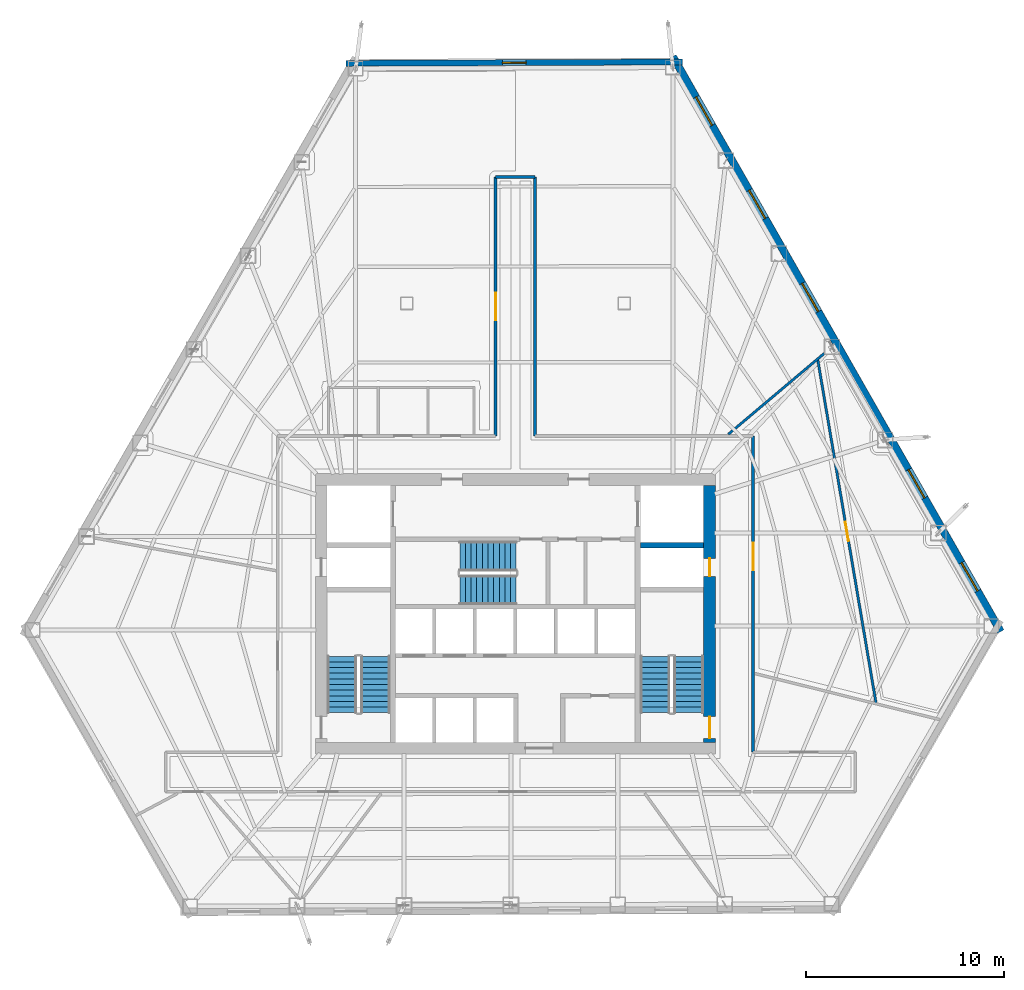
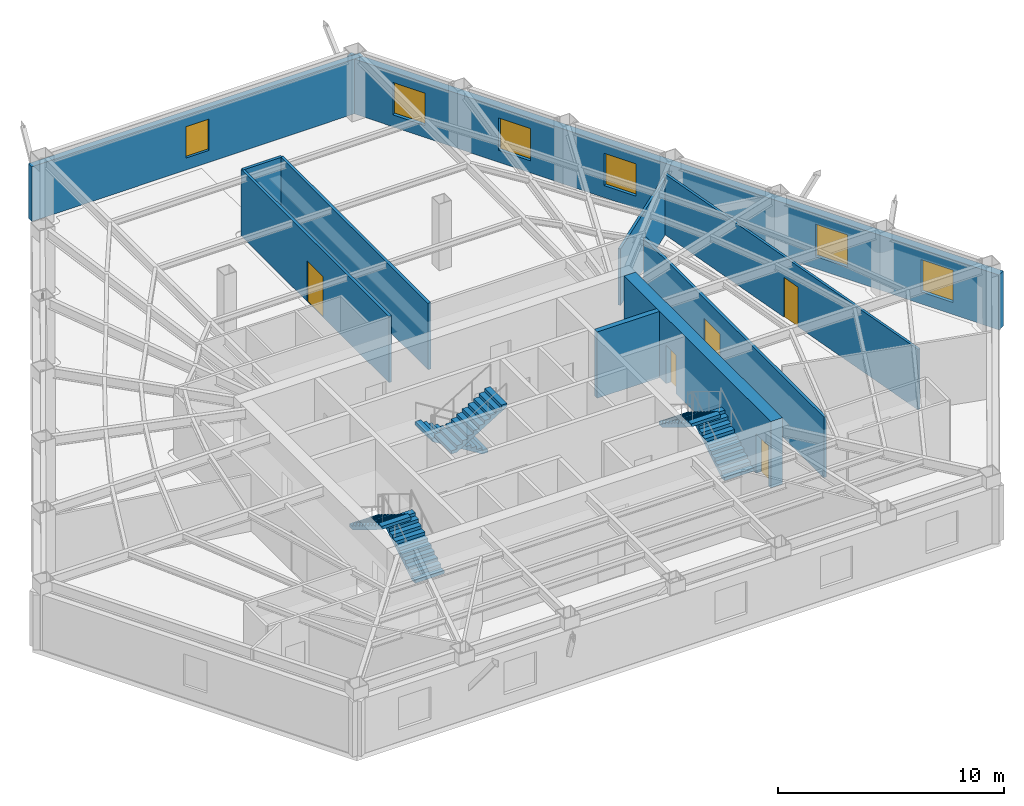
# One storey, part 9 of 12: 10 walls, 6 stair flights, 6 windows, 5 doors, 11 openings, 3 elements without a shape of their own.
"""IFC4 building model written with IfcOpenShell, lengths in metres."""

from ifc_helpers import new_model, si_unit, direction, frame, frame_2d, origin, place, context, subcontext, project, spatial, polyline, rectangle, outline, extrude, material, layer, layer_set, type_object, element, fill, aggregate, save


model = new_model("IFC4")

# Units and contexts
model_context = context("Model", 3, precision=1e-05, world=origin(), true_north=direction((0.0, 1.0)))
body_context = subcontext(model_context, "Body", "Model", "MODEL_VIEW")
ifc_project = project(units=[si_unit("LENGTHUNIT", "METRE"), si_unit("AREAUNIT", "SQUARE_METRE"), si_unit("VOLUMEUNIT", "CUBIC_METRE"), si_unit("PLANEANGLEUNIT", "RADIAN"), si_unit("MASSUNIT", "GRAM", prefix="KILO")], contexts=[model_context])

# Site, building, storey
site_placement = place(None, origin())
site = spatial("IfcSite", under=ifc_project, at=site_placement, CompositionType="ELEMENT")
building_placement = place(site_placement, origin())
building = spatial("IfcBuilding", under=site, at=building_placement, Name="Kavelnor Concourse Tower", CompositionType="ELEMENT")
storey_placement = place(building_placement, frame((0.0, 0.0, 13.699951171875)))
storey = spatial("IfcBuildingStorey", under=building, at=storey_placement, Name="L03", CompositionType="ELEMENT", Elevation=13.699951171875)

# Wall, openings, doors
ifc_material_1 = material(Name="Concrete C60/75", Category="concrete")
ifc_layer_1 = layer(ifc_material_1, 0.60009765625, Name="Concrete C60/75")
ifc_layer_set_1 = layer_set([ifc_layer_1], Name="Concrete C60/75")
wall_type_1 = type_object("IfcWallType", Name="WL-CORE-Z1-600", PredefinedType="SOLIDWALL", material=ifc_layer_set_1)
wall_1_placement = place(storey_placement, frame((47.820068359375, 9.60009765625, 0.0), z_axis=(0.0, 0.0, 1.0), x_axis=(0.0, 1.0, 0.0)))
wall_1 = element("IfcWall", 1, at=wall_1_placement, inside=storey, type_object=wall_type_1, Name="L03 Central Core East Shear Wall", PredefinedType="SOLIDWALL", context=body_context, shape_type="SweptSolid", body=[
    extrude(rectangle(XDim=13.0, YDim=0.60009765625, at=frame_2d((6.5, 0.0))), origin(), (0.0, 0.0, 1.0), 3.590087890625),
])
opening_1_placement = place(wall_1_placement, frame((0.199951171875, 0.0, 0.0)))
opening_1 = element("IfcOpeningElement", 2, at=opening_1_placement, cuts=wall_1, Name="Opening FD-110", PredefinedType="OPENING", context=body_context, shape_type="SweptSolid", body=[
    extrude(rectangle(XDim=1.10009765625, YDim=2.14990234375, at=frame_2d((0.550048828125, 1.074951171875))), frame((0.0, 0.31005859375, 0.0), z_axis=(0.0, -1.0, 0.0), x_axis=(1.0, 0.0, 0.0)), (0.0, 0.0, 1.0), 0.6201171875),
])
opening_2_placement = place(wall_1_placement, frame((8.39990234375, 0.0, 0.0)))
opening_2 = element("IfcOpeningElement", 3, at=opening_2_placement, cuts=wall_1, Name="Opening FD-090", PredefinedType="OPENING", context=body_context, shape_type="SweptSolid", body=[
    extrude(rectangle(XDim=0.89990234375, YDim=2.10009765625, at=frame_2d((0.449951171875, 1.050048828125))), frame((0.0, 0.31005859375, 0.0), z_axis=(0.0, -1.0, 0.0), x_axis=(1.0, 0.0, 0.0)), (0.0, 0.0, 1.0), 0.6201171875),
])
ifc_material_2 = material(Name="Steel Grade 350", Category="steel")
door_type_1 = type_object("IfcDoorType", Name="DR-RISER-FIRE-900", OperationType="NOTDEFINED", PredefinedType="DOOR", material=ifc_material_2)
door_1_placement = place(opening_2_placement, origin())
door_1 = element("IfcDoor", 4, at=door_1_placement, inside=storey, type_object=door_type_1, Name="L03 East Riser Access Door", OperationType="SINGLE_SWING_LEFT", OverallHeight=2.10009765625, OverallWidth=0.89990234375, PredefinedType="DOOR", context=body_context, shape_type="SweptSolid", body=[
    extrude(rectangle(XDim=0.89990234375, YDim=2.10009765625, at=frame_2d((0.449951171875, 1.050048828125))), frame((0.0, 0.02490234375, 0.0), z_axis=(0.0, -1.0, 0.0), x_axis=(1.0, 0.0, 0.0)), (0.0, 0.0, 1.0), 0.050048828125),
])
fill(opening_2, door_1)
door_type_2 = type_object("IfcDoorType", Name="DR-STAIR-FIRE-1100", OperationType="NOTDEFINED", PredefinedType="DOOR", material=ifc_material_2)
door_2_placement = place(opening_1_placement, origin())
door_2 = element("IfcDoor", 5, at=door_2_placement, inside=storey, type_object=door_type_2, Name="L03 Stair ST2 Fire Door", OperationType="SINGLE_SWING_RIGHT", OverallHeight=2.14990234375, OverallWidth=1.10009765625, PredefinedType="DOOR", context=body_context, shape_type="SweptSolid", body=[
    extrude(rectangle(XDim=1.10009765625, YDim=2.14990234375, at=frame_2d((0.550048828125, 1.074951171875))), frame((0.0, 0.02490234375, 0.0), z_axis=(0.0, -1.0, 0.0), x_axis=(1.0, 0.0, 0.0)), (0.0, 0.0, 1.0), 0.050048828125),
])
fill(opening_1, door_2)

# Wall, opening, window
ifc_material_3 = material(Name="Buff ironspot clay face brick masonry", Category="masonry")
ifc_layer_2 = layer(ifc_material_3, 0.300048828125, Name="Buff ironspot clay face brick masonry")
ifc_layer_set_2 = layer_set([ifc_layer_2], Name="Buff ironspot clay face brick masonry")
wall_type_2 = type_object("IfcWallType", Name="WL-EXT-BUFF-BRICK-FOLD-300", PredefinedType="STANDARD", material=ifc_layer_set_2)
wall_2_placement = place(storey_placement, frame((29.443603515625, 43.9453125, 0.0), z_axis=(0.0, 0.0, 1.0), x_axis=(0.999992088083, 0.003977910337, 0.0)))
wall_2 = element("IfcWall", 6, at=wall_2_placement, inside=storey, type_object=wall_type_2, Name="L03 Exterior Brick Facade Wall E0", PredefinedType="STANDARD", context=body_context, shape_type="SweptSolid", body=[
    extrude(rectangle(XDim=17.000732421875, YDim=0.300048828125, at=frame_2d((8.50048828125, 0.0))), origin(), (0.0, 0.0, 1.0), 2.969970703125),
])
opening_3_placement = place(wall_2_placement, frame((7.900390625, 0.0, 0.64990234375)))
opening_3 = element("IfcOpeningElement", 7, at=opening_3_placement, cuts=wall_2, Name="Opening W-05", PredefinedType="OPENING", context=body_context, shape_type="SweptSolid", body=[
    extrude(rectangle(XDim=1.199951171875, YDim=1.699951171875, at=frame_2d((0.60009765625, 0.85009765625))), frame((0.0, 0.16015625, 0.0), z_axis=(0.0, -1.0, 0.0), x_axis=(1.0, 0.0, 0.0)), (0.0, 0.0, 1.0), 0.320068359375),
])
ifc_material_4 = material(Name="Double low-E argon insulated glazing", Category="glass")
window_type_1 = type_object("IfcWindowType", Name="WIN-FOLD-1200", PartitioningType="SINGLE_PANEL", PredefinedType="WINDOW", material=ifc_material_4)
window_1_placement = place(opening_3_placement, origin())
window_1 = element("IfcWindow", 8, at=window_1_placement, inside=storey, type_object=window_type_1, Name="L03 Chamfer-Fold Facet Window C0", OverallHeight=1.699951171875, OverallWidth=1.199951171875, PartitioningType="SINGLE_PANEL", PredefinedType="WINDOW", context=body_context, shape_type="SweptSolid", body=[
    extrude(rectangle(XDim=1.199951171875, YDim=1.699951171875, at=frame_2d((0.60009765625, 0.85009765625))), frame((0.0, 0.030029296875, 0.0), z_axis=(0.0, -1.0, 0.0), x_axis=(1.0, 0.0, 0.0)), (0.0, 0.0, 1.0), 0.06005859375),
])
fill(opening_3, window_1)

# Wall, openings, windows
ifc_material_5 = material(Name="Red-ochre clay face brick masonry", Category="masonry")
ifc_layer_3 = layer(ifc_material_5, 0.3798828125, Name="Red-ochre clay face brick masonry")
ifc_layer_set_3 = layer_set([ifc_layer_3], Name="Red-ochre clay face brick masonry")
wall_type_3 = type_object("IfcWallType", Name="WL-EXT-RED-BRICK-PIER-380", PredefinedType="STANDARD", material=ifc_layer_set_3)
wall_3_placement = place(storey_placement, frame((45.961669921875, 44.291748046875, 0.0), z_axis=(0.0, 0.0, 1.0), x_axis=(0.495312811216, -0.868714693697, 0.0)))
wall_3 = element("IfcWall", 9, at=wall_3_placement, inside=storey, type_object=wall_type_3, Name="L03 Exterior Brick Facade Wall E5", PredefinedType="STANDARD", context=body_context, shape_type="SweptSolid", body=[
    extrude(rectangle(XDim=33.48974609375, YDim=0.3798828125, at=frame_2d((16.744873046875, 0.0))), origin(), (0.0, 0.0, 1.0), 2.969970703125),
])
opening_4_placement = place(wall_3_placement, frame((29.478515625, 0.0, 0.64990234375)))
opening_4 = element("IfcOpeningElement", 10, at=opening_4_placement, cuts=wall_3, Name="Opening W-01", PredefinedType="OPENING", context=body_context, shape_type="SweptSolid", body=[
    extrude(rectangle(XDim=1.64990234375, YDim=1.75, at=frame_2d((0.824951171875, 0.875))), frame((0.0, 0.199951171875, 0.0), z_axis=(0.0, -1.0, 0.0), x_axis=(1.0, 0.0, 0.0)), (0.0, 0.0, 1.0), 0.39990234375),
])
opening_5_placement = place(wall_3_placement, frame((24.05615234375, 0.0, 0.64990234375)))
opening_5 = element("IfcOpeningElement", 11, at=opening_5_placement, cuts=wall_3, Name="Opening W-01", PredefinedType="OPENING", context=body_context, shape_type="SweptSolid", body=[
    extrude(rectangle(XDim=1.64990234375, YDim=1.75, at=frame_2d((0.824951171875, 0.875))), frame((0.0, 0.199951171875, 0.0), z_axis=(0.0, -1.0, 0.0), x_axis=(1.0, 0.0, 0.0)), (0.0, 0.0, 1.0), 0.39990234375),
])
opening_6_placement = place(wall_3_placement, frame((13.211181640625, 0.0, 0.64990234375)))
opening_6 = element("IfcOpeningElement", 12, at=opening_6_placement, cuts=wall_3, Name="Opening W-01", PredefinedType="OPENING", context=body_context, shape_type="SweptSolid", body=[
    extrude(rectangle(XDim=1.64990234375, YDim=1.75, at=frame_2d((0.824951171875, 0.875))), frame((0.0, 0.199951171875, 0.0), z_axis=(0.0, -1.0, 0.0), x_axis=(1.0, 0.0, 0.0)), (0.0, 0.0, 1.0), 0.39990234375),
])
opening_7_placement = place(wall_3_placement, frame((7.788818359375, 0.0, 0.64990234375)))
opening_7 = element("IfcOpeningElement", 13, at=opening_7_placement, cuts=wall_3, Name="Opening W-01", PredefinedType="OPENING", context=body_context, shape_type="SweptSolid", body=[
    extrude(rectangle(XDim=1.64990234375, YDim=1.75, at=frame_2d((0.824951171875, 0.875))), frame((0.0, 0.199951171875, 0.0), z_axis=(0.0, -1.0, 0.0), x_axis=(1.0, 0.0, 0.0)), (0.0, 0.0, 1.0), 0.39990234375),
])
opening_8_placement = place(wall_3_placement, frame((2.366455078125, 0.0, 0.64990234375)))
opening_8 = element("IfcOpeningElement", 14, at=opening_8_placement, cuts=wall_3, Name="Opening W-01", PredefinedType="OPENING", context=body_context, shape_type="SweptSolid", body=[
    extrude(rectangle(XDim=1.64990234375, YDim=1.75, at=frame_2d((0.824951171875, 0.875))), frame((0.0, 0.199951171875, 0.0), z_axis=(0.0, -1.0, 0.0), x_axis=(1.0, 0.0, 0.0)), (0.0, 0.0, 1.0), 0.39990234375),
])
window_type_2 = type_object("IfcWindowType", Name="WIN-PIER-Z1-1800", PartitioningType="SINGLE_PANEL", PredefinedType="WINDOW", material=ifc_material_4)
window_2_placement = place(opening_4_placement, origin())
window_2 = element("IfcWindow", 15, at=window_2_placement, inside=storey, type_object=window_type_2, Name="L03 Deep-Set Brick Pier Window F2-B0", OverallHeight=1.75, OverallWidth=1.64990234375, PartitioningType="SINGLE_PANEL", PredefinedType="WINDOW", context=body_context, shape_type="SweptSolid", body=[
    extrude(rectangle(XDim=1.64990234375, YDim=1.75, at=frame_2d((0.824951171875, 0.875))), frame((0.0, 0.030029296875, 0.0), z_axis=(0.0, -1.0, 0.0), x_axis=(1.0, 0.0, 0.0)), (0.0, 0.0, 1.0), 0.06005859375),
])
fill(opening_4, window_2)
window_3_placement = place(opening_5_placement, origin())
window_3 = element("IfcWindow", 16, at=window_3_placement, inside=storey, type_object=window_type_2, Name="L03 Deep-Set Brick Pier Window F2-B1", OverallHeight=1.75, OverallWidth=1.64990234375, PartitioningType="SINGLE_PANEL", PredefinedType="WINDOW", context=body_context, shape_type="SweptSolid", body=[
    extrude(rectangle(XDim=1.64990234375, YDim=1.75, at=frame_2d((0.824951171875, 0.875))), frame((0.0, 0.030029296875, 0.0), z_axis=(0.0, -1.0, 0.0), x_axis=(1.0, 0.0, 0.0)), (0.0, 0.0, 1.0), 0.06005859375),
])
fill(opening_5, window_3)
window_4_placement = place(opening_6_placement, origin())
window_4 = element("IfcWindow", 17, at=window_4_placement, inside=storey, type_object=window_type_2, Name="L03 Deep-Set Brick Pier Window F2-B3", OverallHeight=1.75, OverallWidth=1.64990234375, PartitioningType="SINGLE_PANEL", PredefinedType="WINDOW", context=body_context, shape_type="SweptSolid", body=[
    extrude(rectangle(XDim=1.64990234375, YDim=1.75, at=frame_2d((0.824951171875, 0.875))), frame((0.0, 0.030029296875, 0.0), z_axis=(0.0, -1.0, 0.0), x_axis=(1.0, 0.0, 0.0)), (0.0, 0.0, 1.0), 0.06005859375),
])
fill(opening_6, window_4)
window_5_placement = place(opening_7_placement, origin())
window_5 = element("IfcWindow", 18, at=window_5_placement, inside=storey, type_object=window_type_2, Name="L03 Deep-Set Brick Pier Window F2-B4", OverallHeight=1.75, OverallWidth=1.64990234375, PartitioningType="SINGLE_PANEL", PredefinedType="WINDOW", context=body_context, shape_type="SweptSolid", body=[
    extrude(rectangle(XDim=1.64990234375, YDim=1.75, at=frame_2d((0.824951171875, 0.875))), frame((0.0, 0.030029296875, 0.0), z_axis=(0.0, -1.0, 0.0), x_axis=(1.0, 0.0, 0.0)), (0.0, 0.0, 1.0), 0.06005859375),
])
fill(opening_7, window_5)
window_6_placement = place(opening_8_placement, origin())
window_6 = element("IfcWindow", 19, at=window_6_placement, inside=storey, type_object=window_type_2, Name="L03 Deep-Set Brick Pier Window F2-B5", OverallHeight=1.75, OverallWidth=1.64990234375, PartitioningType="SINGLE_PANEL", PredefinedType="WINDOW", context=body_context, shape_type="SweptSolid", body=[
    extrude(rectangle(XDim=1.64990234375, YDim=1.75, at=frame_2d((0.824951171875, 0.875))), frame((0.0, 0.030029296875, 0.0), z_axis=(0.0, -1.0, 0.0), x_axis=(1.0, 0.0, 0.0)), (0.0, 0.0, 1.0), 0.06005859375),
])
fill(opening_8, window_6)

# Wall, opening, door
ifc_material_6 = material(Name="Gypsum plasterboard on light-gauge steel studs", Category="steel")
ifc_layer_4 = layer(ifc_material_6, 0.14501953125, Name="Gypsum plasterboard on light-gauge steel studs")
ifc_layer_set_4 = layer_set([ifc_layer_4], Name="Gypsum plasterboard on light-gauge steel studs")
wall_type_4 = type_object("IfcWallType", Name="WL-INT-CORR-145", PredefinedType="PARTITIONING", material=ifc_layer_set_4)
wall_4_placement = place(storey_placement, frame((37.0, 25.10009765625, 0.0), z_axis=(0.0, 0.0, 1.0), x_axis=(0.0, 1.0, 0.0)))
wall_4 = element("IfcWall", 20, at=wall_4_placement, inside=storey, type_object=wall_type_4, Name="L03 Corridor Wall WL-L03-CR-04", PredefinedType="PARTITIONING", context=body_context, shape_type="SweptSolid", body=[
    extrude(rectangle(XDim=13.099853515625, YDim=0.14501953125, at=frame_2d((6.5498046875, 0.0))), origin(), (0.0, 0.0, 1.0), 3.590087890625),
])
opening_9_placement = place(wall_4_placement, frame((5.85009765625, 0.0, 0.0)))
opening_9 = element("IfcOpeningElement", 21, at=opening_9_placement, cuts=wall_4, Name="Opening SD-140", PredefinedType="OPENING", context=body_context, shape_type="SweptSolid", body=[
    extrude(rectangle(XDim=1.39990234375, YDim=2.199951171875, at=frame_2d((0.699951171875, 1.10009765625))), frame((0.0, 0.08251953125, 0.0), z_axis=(0.0, -1.0, 0.0), x_axis=(1.0, 0.0, 0.0)), (0.0, 0.0, 1.0), 0.1650390625),
])
ifc_material_7 = material(Name="Solid-core hardwood timber", Category="wood")
door_type_3 = type_object("IfcDoorType", Name="DR-SUITE-ENTRY-1400", OperationType="NOTDEFINED", PredefinedType="DOOR", material=ifc_material_7)
door_3_placement = place(opening_9_placement, origin())
door_3 = element("IfcDoor", 22, at=door_3_placement, inside=storey, type_object=door_type_3, Name="L03 Client Concierge 03 Door", OperationType="SINGLE_SWING_LEFT", OverallHeight=2.199951171875, OverallWidth=1.39990234375, PredefinedType="DOOR", context=body_context, shape_type="SweptSolid", body=[
    extrude(rectangle(XDim=1.39990234375, YDim=2.199951171875, at=frame_2d((0.699951171875, 1.10009765625))), frame((0.0, 0.02490234375, 0.0), z_axis=(0.0, -1.0, 0.0), x_axis=(1.0, 0.0, 0.0)), (0.0, 0.0, 1.0), 0.050048828125),
])
fill(opening_9, door_3)

# Walls
wall_5_placement = place(storey_placement, frame((37.0, 38.199951171875, 0.0), z_axis=(0.0, 0.0, 1.0), x_axis=(1.0, 0.0, 0.0)))
element("IfcWall", 23, at=wall_5_placement, inside=storey, type_object=wall_type_4, Name="L03 Corridor Wall WL-L03-CR-05", PredefinedType="PARTITIONING", context=body_context, shape_type="SweptSolid", body=[
    extrude(rectangle(XDim=2.0, YDim=0.14501953125, at=frame_2d((1.0, 0.0))), origin(), (0.0, 0.0, 1.0), 3.590087890625),
])
wall_6_placement = place(storey_placement, frame((39.0, 38.199951171875, 0.0), z_axis=(0.0, 0.0, 1.0), x_axis=(0.0, -1.0, 0.0)))
element("IfcWall", 24, at=wall_6_placement, inside=storey, type_object=wall_type_4, Name="L03 Corridor Wall WL-L03-CR-06", PredefinedType="PARTITIONING", context=body_context, shape_type="SweptSolid", body=[
    extrude(rectangle(XDim=13.099853515625, YDim=0.14501953125, at=frame_2d((6.5498046875, 0.0))), origin(), (0.0, 0.0, 1.0), 3.590087890625),
])

# Wall, opening, door
wall_7_placement = place(storey_placement, frame((50.02001953125, 25.10009765625, 0.0), z_axis=(0.0, 0.0, 1.0), x_axis=(0.0, -1.0, 0.0)))
wall_7 = element("IfcWall", 25, at=wall_7_placement, inside=storey, type_object=wall_type_4, Name="L03 Corridor Wall WL-L03-CR-08", PredefinedType="PARTITIONING", context=body_context, shape_type="SweptSolid", body=[
    extrude(rectangle(XDim=16.0, YDim=0.14501953125, at=frame_2d((8.0, 0.0))), origin(), (0.0, 0.0, 1.0), 3.278076171875),
])
opening_10_placement = place(wall_7_placement, frame((5.393310546875, 0.0, 0.0)))
opening_10 = element("IfcOpeningElement", 26, at=opening_10_placement, cuts=wall_7, Name="Opening SD-140", PredefinedType="OPENING", context=body_context, shape_type="SweptSolid", body=[
    extrude(rectangle(XDim=1.39990234375, YDim=2.199951171875, at=frame_2d((0.699951171875, 1.10009765625))), frame((0.0, 0.08251953125, 0.0), z_axis=(0.0, -1.0, 0.0), x_axis=(1.0, 0.0, 0.0)), (0.0, 0.0, 1.0), 0.1650390625),
])
door_4_placement = place(opening_10_placement, origin())
door_4 = element("IfcDoor", 27, at=door_4_placement, inside=storey, type_object=door_type_3, Name="L03 Tenant Bookstore Retail Shop 01 Door", OperationType="SINGLE_SWING_LEFT", OverallHeight=2.199951171875, OverallWidth=1.39990234375, PredefinedType="DOOR", context=body_context, shape_type="SweptSolid", body=[
    extrude(rectangle(XDim=1.39990234375, YDim=2.199951171875, at=frame_2d((0.699951171875, 1.10009765625))), frame((0.0, 0.02490234375, 0.0), z_axis=(0.0, -1.0, 0.0), x_axis=(1.0, 0.0, 0.0)), (0.0, 0.0, 1.0), 0.050048828125),
])
fill(opening_10, door_4)

# Wall
ifc_layer_5 = layer(ifc_material_6, 0.125, Name="Gypsum plasterboard on light-gauge steel studs")
ifc_layer_set_5 = layer_set([ifc_layer_5], Name="Gypsum plasterboard on light-gauge steel studs")
wall_type_5 = type_object("IfcWallType", Name="WL-INT-SUITE-125", PredefinedType="PARTITIONING", material=ifc_layer_set_5)
wall_8_placement = place(storey_placement, frame((48.769775390625, 25.180419921875, 0.0), z_axis=(0.0, 0.0, 1.0), x_axis=(0.764507431672, 0.644614913664, 0.0)))
element("IfcWall", 28, at=wall_8_placement, inside=storey, type_object=wall_type_5, Name="L03 Radial Suite Partition 01", PredefinedType="PARTITIONING", context=body_context, shape_type="SweptSolid", body=[
    extrude(rectangle(XDim=6.337158203125, YDim=0.125, at=frame_2d((3.16845703125, 0.0))), origin(), (0.0, 0.0, 1.0), 3.05712890625),
])

# Wall, opening, door
wall_9_placement = place(storey_placement, frame((56.244384765625, 11.566650390625, 0.0), z_axis=(0.0, 0.0, 1.0), x_axis=(-0.167295506577, 0.985906797562, 0.0)))
wall_9 = element("IfcWall", 29, at=wall_9_placement, inside=storey, type_object=wall_type_5, Name="L03 Suite Subdivision Partition 01", PredefinedType="PARTITIONING", context=body_context, shape_type="SweptSolid", body=[
    extrude(rectangle(XDim=17.655029296875, YDim=0.125, at=frame_2d((8.82763671875, 0.0))), origin(), (0.0, 0.0, 1.0), 3.278076171875),
])
opening_11_placement = place(wall_9_placement, frame((8.330322265625, 0.0, 0.0)))
opening_11 = element("IfcOpeningElement", 30, at=opening_11_placement, cuts=wall_9, Name="Opening OD-098", PredefinedType="OPENING", context=body_context, shape_type="SweptSolid", body=[
    extrude(rectangle(XDim=0.97998046875, YDim=2.14990234375, at=frame_2d((0.489990234375, 1.074951171875))), frame((0.0, 0.072509765625, 0.0), z_axis=(0.0, -1.0, 0.0), x_axis=(1.0, 0.0, 0.0)), (0.0, 0.0, 1.0), 0.14501953125),
])
door_type_4 = type_object("IfcDoorType", Name="DR-OFFICE-980", OperationType="NOTDEFINED", PredefinedType="DOOR", material=ifc_material_7)
door_5_placement = place(opening_11_placement, origin())
door_5 = element("IfcDoor", 31, at=door_5_placement, inside=storey, type_object=door_type_4, Name="L03 Technical Reference Library 02 Door", OperationType="SINGLE_SWING_RIGHT", OverallHeight=2.14990234375, OverallWidth=0.97998046875, PredefinedType="DOOR", context=body_context, shape_type="SweptSolid", body=[
    extrude(rectangle(XDim=0.97998046875, YDim=2.14990234375, at=frame_2d((0.489990234375, 1.074951171875))), frame((0.0, 0.02490234375, 0.0), z_axis=(0.0, -1.0, 0.0), x_axis=(1.0, 0.0, 0.0)), (0.0, 0.0, 1.0), 0.050048828125),
])
fill(opening_11, door_5)

# Wall
ifc_material_8 = material(Name="Concrete C50/60", Category="concrete")
ifc_layer_6 = layer(ifc_material_8, 0.260009765625, Name="Concrete C50/60")
ifc_layer_set_6 = layer_set([ifc_layer_6], Name="Concrete C50/60")
wall_type_6 = type_object("IfcWallType", Name="WL-SHAFT-260", PredefinedType="SHEAR", material=ifc_layer_set_6)
wall_10_placement = place(storey_placement, frame((44.320068359375, 19.570068359375, 0.0), z_axis=(0.0, 0.0, 1.0), x_axis=(1.0, 0.0, 0.0)))
element("IfcWall", 32, at=wall_10_placement, inside=storey, type_object=wall_type_6, Name="L03 Emergency Lift FL2 South Shaft Wall", PredefinedType="SHEAR", context=body_context, shape_type="SweptSolid", body=[
    extrude(rectangle(XDim=3.199951171875, YDim=0.260009765625, at=frame_2d((1.60009765625, 0.0))), origin(), (0.0, 0.0, 1.0), 3.590087890625),
])

# Stair, stair flights
ifc_material_9 = material(Name="Concrete C40/50", Category="concrete")
stair_type = type_object("IfcStairType", Name="STR-CORE-1500", PredefinedType="HALF_TURN_STAIR", material=ifc_material_9)
stair_1_placement = place(storey_placement, origin())
stair_1 = element("IfcStair", 33, at=stair_1_placement, inside=storey, type_object=stair_type, Name="L03 ST1", PredefinedType="HALF_TURN_STAIR")
stair_flight_type = type_object("IfcStairFlightType", Name="STR-FLIGHT-1500", PredefinedType="STRAIGHT", material=ifc_material_9)
stair_flight_1_placement = place(storey_placement, frame((30.929931640625, 11.10009765625, 0.0), z_axis=(0.0, 0.0, 1.0), x_axis=(0.0, 1.0, 0.0)))
stair_flight_1 = element("IfcStairFlight", 34, at=stair_flight_1_placement, type_object=stair_flight_type, Name="ST1 flight 1", NumberOfRisers=11, NumberOfTreads=10, PredefinedType="STRAIGHT", RiserHeight=0.175, TreadLength=0.285, context=body_context, shape_type="SweptSolid", body=[
    extrude(outline(polyline([(0.0, 0.0), (0.0, 0.175048828125), (0.284912109375, 0.175048828125), (0.284912109375, 0.35009765625), (0.570068359375, 0.35009765625), (0.570068359375, 0.52490234375), (0.85498046875, 0.52490234375), (0.85498046875, 0.699951171875), (1.139892578125, 0.699951171875), (1.139892578125, 0.875), (1.425048828125, 0.875), (1.425048828125, 1.050048828125), (1.7099609375, 1.050048828125), (1.7099609375, 1.22509765625), (1.9951171875, 1.22509765625), (1.9951171875, 1.39990234375), (2.280029296875, 1.39990234375), (2.280029296875, 1.574951171875), (2.56494140625, 1.574951171875), (2.56494140625, 1.75), (2.85009765625, 1.75), (2.85009765625, 1.925048828125), (2.85009765625, 1.573974609375), (0.286376953125, 0.0), (0.0, 0.0)])), frame((0.0, 0.75, 0.0), z_axis=(0.0, -1.0, 0.0), x_axis=(1.0, 0.0, 0.0)), (0.0, 0.0, 1.0), 1.5),
])
stair_flight_2_placement = place(storey_placement, frame((29.22998046875, 13.949951171875, 1.925048828125), z_axis=(0.0, 0.0, 1.0), x_axis=(0.0, -1.0, 0.0)))
stair_flight_2 = element("IfcStairFlight", 35, at=stair_flight_2_placement, type_object=stair_flight_type, Name="ST1 flight 2", NumberOfRisers=11, NumberOfTreads=10, PredefinedType="STRAIGHT", RiserHeight=0.175, TreadLength=0.285, context=body_context, shape_type="SweptSolid", body=[
    extrude(outline(polyline([(0.0, 0.0), (0.0, 0.175048828125), (0.284912109375, 0.175048828125), (0.284912109375, 0.35009765625), (0.570068359375, 0.35009765625), (0.570068359375, 0.52490234375), (0.85498046875, 0.52490234375), (0.85498046875, 0.699951171875), (1.139892578125, 0.699951171875), (1.139892578125, 0.875), (1.425048828125, 0.875), (1.425048828125, 1.050048828125), (1.7099609375, 1.050048828125), (1.7099609375, 1.22509765625), (1.9951171875, 1.22509765625), (1.9951171875, 1.39990234375), (2.280029296875, 1.39990234375), (2.280029296875, 1.574951171875), (2.56494140625, 1.574951171875), (2.56494140625, 1.75), (2.85009765625, 1.75), (2.85009765625, 1.925048828125), (2.85009765625, 1.573974609375), (0.286376953125, 0.0), (0.0, 0.0)])), frame((0.0, 0.75, 0.0), z_axis=(0.0, -1.0, 0.0), x_axis=(1.0, 0.0, 0.0)), (0.0, 0.0, 1.0), 1.5),
])
aggregate(stair_1, [stair_flight_1, stair_flight_2])

stair_2_placement = place(storey_placement, origin())
stair_2 = element("IfcStair", 36, at=stair_2_placement, inside=storey, type_object=stair_type, Name="L03 ST2", PredefinedType="HALF_TURN_STAIR")
stair_flight_3_placement = place(storey_placement, frame((46.77001953125, 11.10009765625, 0.0), z_axis=(0.0, 0.0, 1.0), x_axis=(0.0, 1.0, 0.0)))
stair_flight_3 = element("IfcStairFlight", 37, at=stair_flight_3_placement, type_object=stair_flight_type, Name="ST2 flight 1", NumberOfRisers=11, NumberOfTreads=10, PredefinedType="STRAIGHT", RiserHeight=0.175, TreadLength=0.285, context=body_context, shape_type="SweptSolid", body=[
    extrude(outline(polyline([(0.0, 0.0), (0.0, 0.175048828125), (0.284912109375, 0.175048828125), (0.284912109375, 0.35009765625), (0.570068359375, 0.35009765625), (0.570068359375, 0.52490234375), (0.85498046875, 0.52490234375), (0.85498046875, 0.699951171875), (1.139892578125, 0.699951171875), (1.139892578125, 0.875), (1.425048828125, 0.875), (1.425048828125, 1.050048828125), (1.7099609375, 1.050048828125), (1.7099609375, 1.22509765625), (1.9951171875, 1.22509765625), (1.9951171875, 1.39990234375), (2.280029296875, 1.39990234375), (2.280029296875, 1.574951171875), (2.56494140625, 1.574951171875), (2.56494140625, 1.75), (2.85009765625, 1.75), (2.85009765625, 1.925048828125), (2.85009765625, 1.573974609375), (0.286376953125, 0.0), (0.0, 0.0)])), frame((0.0, 0.75, 0.0), z_axis=(0.0, -1.0, 0.0), x_axis=(1.0, 0.0, 0.0)), (0.0, 0.0, 1.0), 1.5),
])
stair_flight_4_placement = place(storey_placement, frame((45.070068359375, 13.949951171875, 1.925048828125), z_axis=(0.0, 0.0, 1.0), x_axis=(0.0, -1.0, 0.0)))
stair_flight_4 = element("IfcStairFlight", 38, at=stair_flight_4_placement, type_object=stair_flight_type, Name="ST2 flight 2", NumberOfRisers=11, NumberOfTreads=10, PredefinedType="STRAIGHT", RiserHeight=0.175, TreadLength=0.285, context=body_context, shape_type="SweptSolid", body=[
    extrude(outline(polyline([(0.0, 0.0), (0.0, 0.175048828125), (0.284912109375, 0.175048828125), (0.284912109375, 0.35009765625), (0.570068359375, 0.35009765625), (0.570068359375, 0.52490234375), (0.85498046875, 0.52490234375), (0.85498046875, 0.699951171875), (1.139892578125, 0.699951171875), (1.139892578125, 0.875), (1.425048828125, 0.875), (1.425048828125, 1.050048828125), (1.7099609375, 1.050048828125), (1.7099609375, 1.22509765625), (1.9951171875, 1.22509765625), (1.9951171875, 1.39990234375), (2.280029296875, 1.39990234375), (2.280029296875, 1.574951171875), (2.56494140625, 1.574951171875), (2.56494140625, 1.75), (2.85009765625, 1.75), (2.85009765625, 1.925048828125), (2.85009765625, 1.573974609375), (0.286376953125, 0.0), (0.0, 0.0)])), frame((0.0, 0.75, 0.0), z_axis=(0.0, -1.0, 0.0), x_axis=(1.0, 0.0, 0.0)), (0.0, 0.0, 1.0), 1.5),
])
aggregate(stair_2, [stair_flight_3, stair_flight_4])

stair_3_placement = place(storey_placement, origin())
stair_3 = element("IfcStair", 39, at=stair_3_placement, inside=storey, type_object=stair_type, Name="L03 ST3", PredefinedType="HALF_TURN_STAIR")
stair_flight_5_placement = place(storey_placement, frame((38.0400390625, 19.010009765625, 0.0), z_axis=(0.0, 0.0, 1.0), x_axis=(-1.0, 0.0, 0.0)))
stair_flight_5 = element("IfcStairFlight", 40, at=stair_flight_5_placement, type_object=stair_flight_type, Name="ST3 flight 1", NumberOfRisers=11, NumberOfTreads=10, PredefinedType="STRAIGHT", RiserHeight=0.175, TreadLength=0.285, context=body_context, shape_type="SweptSolid", body=[
    extrude(outline(polyline([(0.0, 0.0), (0.0, 0.175048828125), (0.284912109375, 0.175048828125), (0.284912109375, 0.35009765625), (0.570068359375, 0.35009765625), (0.570068359375, 0.52490234375), (0.85498046875, 0.52490234375), (0.85498046875, 0.699951171875), (1.139892578125, 0.699951171875), (1.139892578125, 0.875), (1.425048828125, 0.875), (1.425048828125, 1.050048828125), (1.7099609375, 1.050048828125), (1.7099609375, 1.22509765625), (1.9951171875, 1.22509765625), (1.9951171875, 1.39990234375), (2.280029296875, 1.39990234375), (2.280029296875, 1.574951171875), (2.56494140625, 1.574951171875), (2.56494140625, 1.75), (2.85009765625, 1.75), (2.85009765625, 1.925048828125), (2.85009765625, 1.573974609375), (0.286376953125, 0.0), (0.0, 0.0)])), frame((0.0, 0.75, 0.0), z_axis=(0.0, -1.0, 0.0), x_axis=(1.0, 0.0, 0.0)), (0.0, 0.0, 1.0), 1.5),
])
stair_flight_6_placement = place(storey_placement, frame((35.18994140625, 17.31005859375, 1.925048828125), z_axis=(0.0, 0.0, 1.0), x_axis=(1.0, 0.0, 0.0)))
stair_flight_6 = element("IfcStairFlight", 41, at=stair_flight_6_placement, type_object=stair_flight_type, Name="ST3 flight 2", NumberOfRisers=11, NumberOfTreads=10, PredefinedType="STRAIGHT", RiserHeight=0.175, TreadLength=0.285, context=body_context, shape_type="SweptSolid", body=[
    extrude(outline(polyline([(0.0, 0.0), (0.0, 0.175048828125), (0.284912109375, 0.175048828125), (0.284912109375, 0.35009765625), (0.570068359375, 0.35009765625), (0.570068359375, 0.52490234375), (0.85498046875, 0.52490234375), (0.85498046875, 0.699951171875), (1.139892578125, 0.699951171875), (1.139892578125, 0.875), (1.425048828125, 0.875), (1.425048828125, 1.050048828125), (1.7099609375, 1.050048828125), (1.7099609375, 1.22509765625), (1.9951171875, 1.22509765625), (1.9951171875, 1.39990234375), (2.280029296875, 1.39990234375), (2.280029296875, 1.574951171875), (2.56494140625, 1.574951171875), (2.56494140625, 1.75), (2.85009765625, 1.75), (2.85009765625, 1.925048828125), (2.85009765625, 1.573974609375), (0.286376953125, 0.0), (0.0, 0.0)])), frame((0.0, 0.75, 0.0), z_axis=(0.0, -1.0, 0.0), x_axis=(1.0, 0.0, 0.0)), (0.0, 0.0, 1.0), 1.5),
])
aggregate(stair_3, [stair_flight_5, stair_flight_6])

save(model, "model.ifc")
